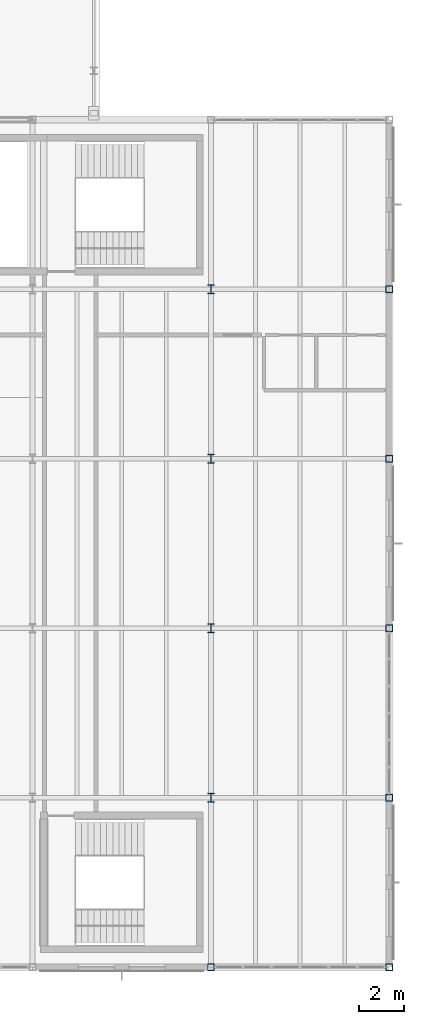
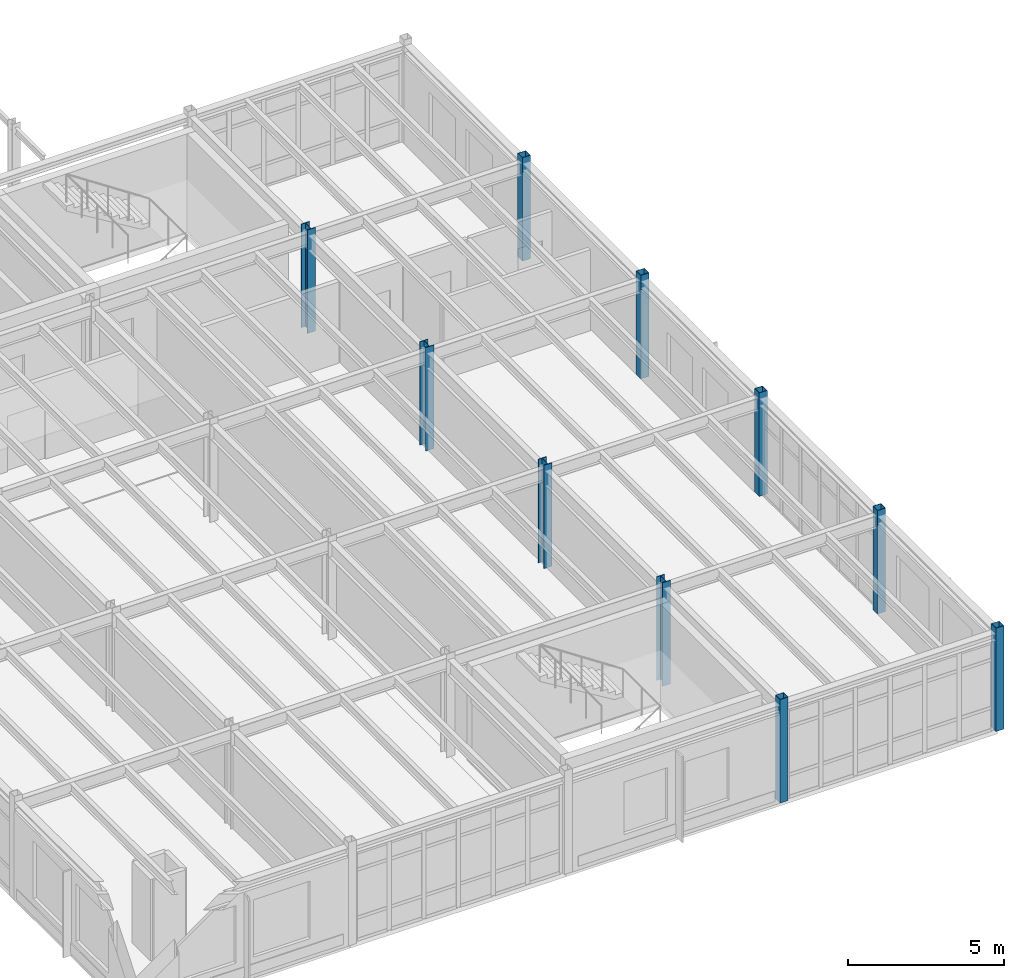
# One storey, part 18 of 165: 10 columns.
"""IFC4 building model written with IfcOpenShell, lengths in metres."""

from ifc_helpers import new_model, si_unit, direction, frame, origin, origin_2d, place, context, subcontext, project, spatial, hollow_rectangle, i_section, extrude, material, material_profile, profile_set, type_object, element, save


model = new_model("IFC4")

# Units and contexts
model_context = context("Model", 3, precision=1e-05, world=origin(), true_north=direction((0.0, 1.0)))
body_context = subcontext(model_context, "Body", "Model", "MODEL_VIEW")
ifc_project = project(units=[si_unit("LENGTHUNIT", "METRE"), si_unit("AREAUNIT", "SQUARE_METRE"), si_unit("VOLUMEUNIT", "CUBIC_METRE"), si_unit("PLANEANGLEUNIT", "RADIAN"), si_unit("MASSUNIT", "GRAM", prefix="KILO")], contexts=[model_context])

# Site, building, storey
site_placement = place(None, origin())
site = spatial("IfcSite", under=ifc_project, at=site_placement, CompositionType="ELEMENT")
building_placement = place(site_placement, origin())
building = spatial("IfcBuilding", under=site, at=building_placement, Name="Montecoro Central Library", CompositionType="ELEMENT")
storey_placement = place(building_placement, frame((0.0, 0.0, 5.10009765625)))
storey = spatial("IfcBuildingStorey", under=building, at=storey_placement, Name="L01", CompositionType="ELEMENT", Elevation=5.10009765625)

# Columns
ifc_material = material(Name="Steel S355", Category="steel")
ifc_material_profile_1 = material_profile(ifc_material, i_section(OverallWidth=0.300048828125, OverallDepth=0.39990234375, WebThickness=0.013427734375, FlangeThickness=0.02392578125, at=origin_2d()), Name="HEB 400")
ifc_profile_set_1 = profile_set([ifc_material_profile_1], Name="Steel S355")
column_type_1 = type_object("IfcColumnType", Name="COL-HEB400", PredefinedType="COLUMN", material=ifc_profile_set_1)
for number, where, z_axis, x_axis, name in (
    (1, (165.0, 12.60009765625, 0.0), (0.0, 0.0, 1.0), (1.0, 0.0, 0.0), "V6-L01-COL-21-B"),
    (2, (165.0, 20.199951171875, 0.0), (0.0, 0.0, 1.0), (1.0, 0.0, 0.0), "V6-L01-COL-21-C"),
    (3, (165.0, 27.800048828125, 0.0), (0.0, 0.0, 1.0), (1.0, 0.0, 0.0), "V6-L01-COL-21-D"),
    (4, (165.0, 35.39990234375, 0.0), (0.0, 0.0, 1.0), (1.0, 0.0, 0.0), "V6-L01-COL-21-E"),
):
    element("IfcColumn", number, at=place(storey_placement, frame(where, z_axis=z_axis, x_axis=x_axis)), inside=storey, type_object=column_type_1, Name=name, PredefinedType="COLUMN", context=body_context, shape_type="SweptSolid", body=[
        extrude(i_section(OverallWidth=0.300048828125, OverallDepth=0.39990234375, WebThickness=0.013427734375, FlangeThickness=0.02392578125, at=origin_2d()), origin(), (0.0, 0.0, 1.0), 4.054931640625),
    ])
ifc_material_profile_2 = material_profile(ifc_material, hollow_rectangle(XDim=0.300048828125, YDim=0.300048828125, WallThickness=0.012451171875, at=origin_2d()), Name="SHS 300x300x12.5")
ifc_profile_set_2 = profile_set([ifc_material_profile_2], Name="Steel S355")
column_type_2 = type_object("IfcColumnType", Name="COL-SHS300", PredefinedType="COLUMN", material=ifc_profile_set_2)
for number, where, z_axis, x_axis, name in (
    (5, (165.0, 5.0, 0.0), (0.0, 0.0, 1.0), (1.0, 0.0, 0.0), "V6-L01-COL-21-A"),
    (6, (173.0, 5.0, 0.0), (0.0, 0.0, 1.0), (1.0, 0.0, 0.0), "V6-L01-COL-22-A"),
    (7, (173.0, 12.60009765625, 0.0), (0.0, 0.0, 1.0), (1.0, 0.0, 0.0), "V6-L01-COL-22-B"),
    (8, (173.0, 20.199951171875, 0.0), (0.0, 0.0, 1.0), (1.0, 0.0, 0.0), "V6-L01-COL-22-C"),
    (9, (173.0, 27.800048828125, 0.0), (0.0, 0.0, 1.0), (1.0, 0.0, 0.0), "V6-L01-COL-22-D"),
    (10, (173.0, 35.39990234375, 0.0), (0.0, 0.0, 1.0), (1.0, 0.0, 0.0), "V6-L01-COL-22-E"),
):
    element("IfcColumn", number, at=place(storey_placement, frame(where, z_axis=z_axis, x_axis=x_axis)), inside=storey, type_object=column_type_2, Name=name, PredefinedType="COLUMN", context=body_context, shape_type="SweptSolid", body=[
        extrude(hollow_rectangle(XDim=0.300048828125, YDim=0.300048828125, WallThickness=0.012451171875, at=origin_2d()), origin(), (0.0, 0.0, 1.0), 4.054931640625),
    ])

save(model, "model.ifc")
